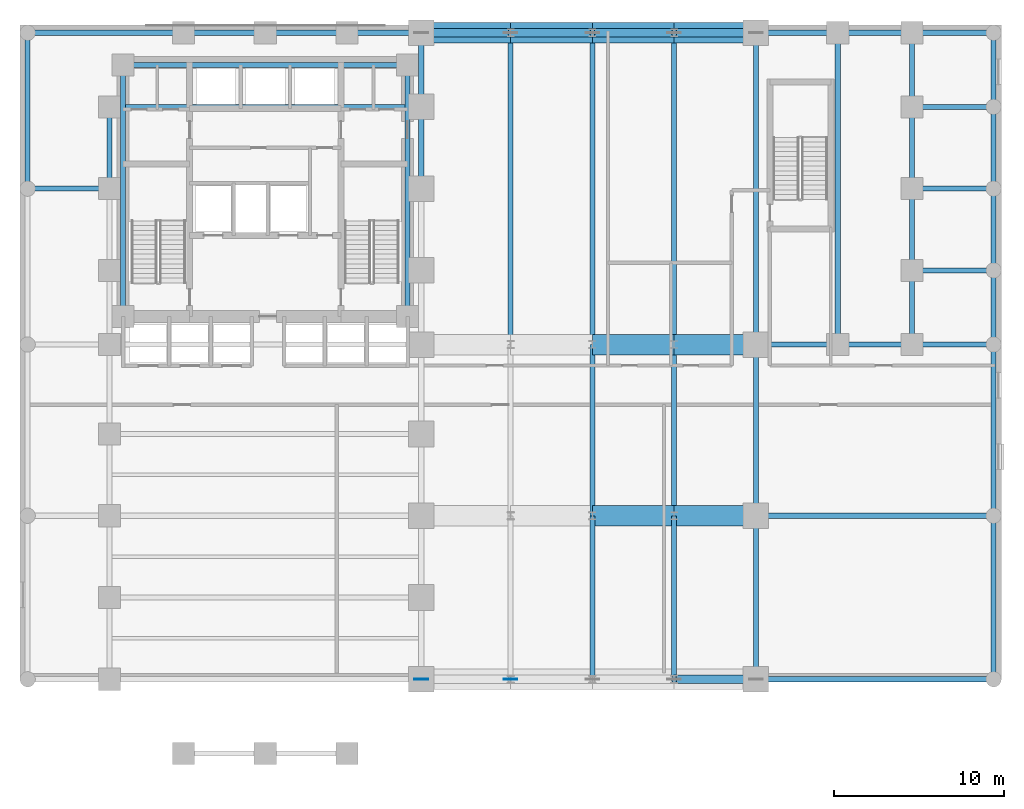
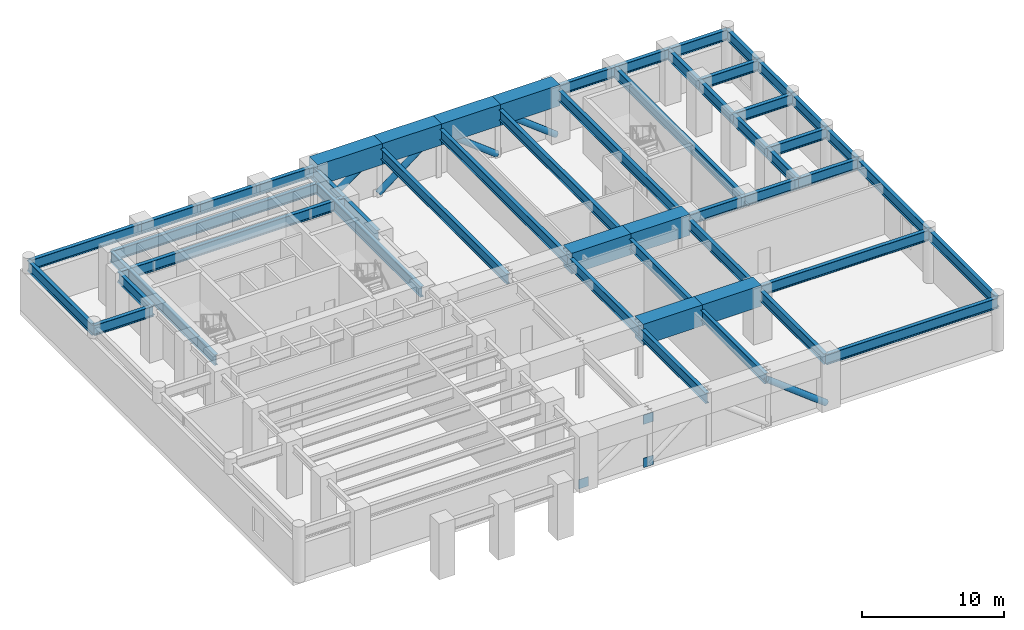
# One storey, part 2 of 8: 53 beams, 5 members, 3 plates.
"""IFC4 building model written with IfcOpenShell, lengths in metres."""

from ifc_helpers import new_model, si_unit, direction, frame, origin, origin_2d, place, context, subcontext, project, spatial, rectangle, hollow_circle, i_section, extrude, material, layer, layer_set, material_profile, profile_set, type_object, element, save


model = new_model("IFC4")

# Units and contexts
model_context = context("Model", 3, precision=1e-05, world=origin(), true_north=direction((0.0, 1.0)))
body_context = subcontext(model_context, "Body", "Model", "MODEL_VIEW")
ifc_project = project(units=[si_unit("LENGTHUNIT", "METRE"), si_unit("AREAUNIT", "SQUARE_METRE"), si_unit("VOLUMEUNIT", "CUBIC_METRE"), si_unit("PLANEANGLEUNIT", "RADIAN"), si_unit("MASSUNIT", "GRAM", prefix="KILO")], contexts=[model_context])

# Site, building, storey
site_placement = place(None, origin())
site = spatial("IfcSite", under=ifc_project, at=site_placement, CompositionType="ELEMENT")
building_placement = place(site_placement, origin())
building = spatial("IfcBuilding", under=site, at=building_placement, Name="Orvandelia Arch Residences", CompositionType="ELEMENT")
storey_placement = place(building_placement, frame((0.0, 0.0, 14.800048828125)))
storey = spatial("IfcBuildingStorey", under=building, at=storey_placement, Name="L03", CompositionType="ELEMENT", Elevation=14.800048828125)

# Beams
ifc_material_1 = material(Name="Structural Steel HSA650 (650 MPa)", Category="steel")
ifc_material_profile_1 = material_profile(ifc_material_1, i_section(OverallWidth=0.300048828125, OverallDepth=0.89990234375, WebThickness=0.01611328125, FlangeThickness=0.028076171875, FilletRadius=0.028076171875, at=origin_2d()), Name="Structural Steel HSA650 (650 MPa)", Category="steel")
ifc_profile_set_1 = profile_set([ifc_material_profile_1], Name="Structural Steel HSA650 (650 MPa)")
beam_type_1 = type_object("IfcBeamType", Name="BM-GRD-H900", PredefinedType="BEAM", material=ifc_profile_set_1)
beam_1_placement = place(storey_placement, frame((0.449951171875, 38.39990234375, 3.949951171875), z_axis=(0.0, 1.0, 0.0), x_axis=(-1.0, 0.0, 0.0)))
element("IfcBeam", 1, at=beam_1_placement, inside=storey, type_object=beam_type_1, Name="Structural Frame Beam L03-NS-004", PredefinedType="BEAM", context=body_context, shape_type="SweptSolid", body=[
    extrude(i_section(OverallWidth=0.300048828125, OverallDepth=0.89990234375, WebThickness=0.01611328125, FlangeThickness=0.028076171875, FilletRadius=0.028076171875, at=origin_2d()), origin(), (0.0, 0.0, 1.0), 9.150146484375),
])
beam_2_placement = place(storey_placement, frame((5.25, 38.39990234375, 3.949951171875), z_axis=(0.0, 1.0, 0.0), x_axis=(-1.0, 0.0, 0.0)))
element("IfcBeam", 2, at=beam_2_placement, inside=storey, type_object=beam_type_1, Name="Structural Frame Beam L03-NS-011", PredefinedType="BEAM", context=body_context, shape_type="SweptSolid", body=[
    extrude(i_section(OverallWidth=0.300048828125, OverallDepth=0.89990234375, WebThickness=0.01611328125, FlangeThickness=0.028076171875, FilletRadius=0.028076171875, at=origin_2d()), origin(), (0.0, 0.0, 1.0), 4.800048828125),
])
for number, where, z_axis, x_axis, name in (
    (3, (6.050048828125, 30.89990234375, 3.949951171875), (0.0, 1.0, 0.0), (-1.0, 0.0, 0.0), "Structural Frame Beam L03-NS-012"),
    (4, (22.75, 30.89990234375, 3.949951171875), (0.0, 1.0, 0.0), (-1.0, 0.0, 0.0), "Structural Frame Beam L03-NS-013"),
):
    element("IfcBeam", number, at=place(storey_placement, frame(where, z_axis=z_axis, x_axis=x_axis)), inside=storey, type_object=beam_type_1, Name=name, PredefinedType="BEAM", context=body_context, shape_type="SweptSolid", body=[
        extrude(i_section(OverallWidth=0.300048828125, OverallDepth=0.89990234375, WebThickness=0.01611328125, FlangeThickness=0.028076171875, FilletRadius=0.028076171875, at=origin_2d()), origin(), (0.0, 0.0, 1.0), 14.75),
    ])
beam_3_placement = place(storey_placement, frame((23.550048828125, 38.39990234375, 3.949951171875), z_axis=(0.0, 1.0, 0.0), x_axis=(-1.0, 0.0, 0.0)))
element("IfcBeam", 5, at=beam_3_placement, inside=storey, type_object=beam_type_1, Name="Structural Frame Beam L03-NS-020", PredefinedType="BEAM", context=body_context, shape_type="SweptSolid", body=[
    extrude(i_section(OverallWidth=0.300048828125, OverallDepth=0.89990234375, WebThickness=0.01611328125, FlangeThickness=0.028076171875, FilletRadius=0.028076171875, at=origin_2d()), origin(), (0.0, 0.0, 1.0), 4.800048828125),
])
beam_4_placement = place(storey_placement, frame((23.550048828125, 43.199951171875, 3.949951171875), z_axis=(0.0, 1.0, 0.0), x_axis=(-1.0, 0.0, 0.0)))
element("IfcBeam", 6, at=beam_4_placement, inside=storey, type_object=beam_type_1, Name="Structural Frame Beam L03-NS-021", PredefinedType="BEAM", context=body_context, shape_type="SweptSolid", body=[
    extrude(i_section(OverallWidth=0.300048828125, OverallDepth=0.89990234375, WebThickness=0.01611328125, FlangeThickness=0.028076171875, FilletRadius=0.028076171875, at=origin_2d()), origin(), (0.0, 0.0, 1.0), 4.35009765625),
])
beam_5_placement = place(storey_placement, frame((28.800048828125, 29.25, 3.949951171875), z_axis=(0.0, 1.0, 0.0), x_axis=(-1.0, 0.0, 0.0)))
element("IfcBeam", 7, at=beam_5_placement, inside=storey, type_object=beam_type_1, Name="Structural Frame Beam L03-NS-024", PredefinedType="BEAM", context=body_context, shape_type="SweptSolid", body=[
    extrude(i_section(OverallWidth=0.300048828125, OverallDepth=0.89990234375, WebThickness=0.01611328125, FlangeThickness=0.028076171875, FilletRadius=0.028076171875, at=origin_2d()), origin(), (0.0, 0.0, 1.0), 18.300048828125),
])
beam_6_placement = place(storey_placement, frame((33.60009765625, 9.60009765625, 3.949951171875), z_axis=(0.0, 1.0, 0.0), x_axis=(-1.0, 0.0, 0.0)))
element("IfcBeam", 8, at=beam_6_placement, inside=storey, type_object=beam_type_1, Name="Structural Frame Beam L03-NS-025", PredefinedType="BEAM", context=body_context, shape_type="SweptSolid", body=[
    extrude(i_section(OverallWidth=0.300048828125, OverallDepth=0.89990234375, WebThickness=0.01611328125, FlangeThickness=0.028076171875, FilletRadius=0.028076171875, at=origin_2d()), origin(), (0.0, 0.0, 1.0), 9.599853515625),
])
beam_7_placement = place(storey_placement, frame((33.60009765625, 19.199951171875, 3.949951171875), z_axis=(0.0, 1.0, 0.0), x_axis=(-1.0, 0.0, 0.0)))
element("IfcBeam", 9, at=beam_7_placement, inside=storey, type_object=beam_type_1, Name="Structural Frame Beam L03-NS-026", PredefinedType="BEAM", context=body_context, shape_type="SweptSolid", body=[
    extrude(i_section(OverallWidth=0.300048828125, OverallDepth=0.89990234375, WebThickness=0.01611328125, FlangeThickness=0.028076171875, FilletRadius=0.028076171875, at=origin_2d()), origin(), (0.0, 0.0, 1.0), 10.050048828125),
])
beam_8_placement = place(storey_placement, frame((33.60009765625, 29.25, 3.949951171875), z_axis=(0.0, 1.0, 0.0), x_axis=(-1.0, 0.0, 0.0)))
element("IfcBeam", 10, at=beam_8_placement, inside=storey, type_object=beam_type_1, Name="Structural Frame Beam L03-NS-027", PredefinedType="BEAM", context=body_context, shape_type="SweptSolid", body=[
    extrude(i_section(OverallWidth=0.300048828125, OverallDepth=0.89990234375, WebThickness=0.01611328125, FlangeThickness=0.028076171875, FilletRadius=0.028076171875, at=origin_2d()), origin(), (0.0, 0.0, 1.0), 18.300048828125),
])
beam_9_placement = place(storey_placement, frame((38.39990234375, 9.60009765625, 3.949951171875), z_axis=(0.0, 1.0, 0.0), x_axis=(-1.0, 0.0, 0.0)))
element("IfcBeam", 11, at=beam_9_placement, inside=storey, type_object=beam_type_1, Name="Structural Frame Beam L03-NS-028", PredefinedType="BEAM", context=body_context, shape_type="SweptSolid", body=[
    extrude(i_section(OverallWidth=0.300048828125, OverallDepth=0.89990234375, WebThickness=0.01611328125, FlangeThickness=0.028076171875, FilletRadius=0.028076171875, at=origin_2d()), origin(), (0.0, 0.0, 1.0), 9.599853515625),
])
beam_10_placement = place(storey_placement, frame((38.39990234375, 19.199951171875, 3.949951171875), z_axis=(0.0, 1.0, 0.0), x_axis=(-1.0, 0.0, 0.0)))
element("IfcBeam", 12, at=beam_10_placement, inside=storey, type_object=beam_type_1, Name="Structural Frame Beam L03-NS-029", PredefinedType="BEAM", context=body_context, shape_type="SweptSolid", body=[
    extrude(i_section(OverallWidth=0.300048828125, OverallDepth=0.89990234375, WebThickness=0.01611328125, FlangeThickness=0.028076171875, FilletRadius=0.028076171875, at=origin_2d()), origin(), (0.0, 0.0, 1.0), 10.050048828125),
])
beam_11_placement = place(storey_placement, frame((38.39990234375, 29.25, 3.949951171875), z_axis=(0.0, 1.0, 0.0), x_axis=(-1.0, 0.0, 0.0)))
element("IfcBeam", 13, at=beam_11_placement, inside=storey, type_object=beam_type_1, Name="Structural Frame Beam L03-NS-030", PredefinedType="BEAM", context=body_context, shape_type="SweptSolid", body=[
    extrude(i_section(OverallWidth=0.300048828125, OverallDepth=0.89990234375, WebThickness=0.01611328125, FlangeThickness=0.028076171875, FilletRadius=0.028076171875, at=origin_2d()), origin(), (0.0, 0.0, 1.0), 18.300048828125),
])
beam_12_placement = place(storey_placement, frame((43.199951171875, 9.60009765625, 3.949951171875), z_axis=(0.0, 1.0, 0.0), x_axis=(-1.0, 0.0, 0.0)))
element("IfcBeam", 14, at=beam_12_placement, inside=storey, type_object=beam_type_1, Name="Structural Frame Beam L03-NS-031", PredefinedType="BEAM", context=body_context, shape_type="SweptSolid", body=[
    extrude(i_section(OverallWidth=0.300048828125, OverallDepth=0.89990234375, WebThickness=0.01611328125, FlangeThickness=0.028076171875, FilletRadius=0.028076171875, at=origin_2d()), origin(), (0.0, 0.0, 1.0), 9.599853515625),
])
beam_13_placement = place(storey_placement, frame((43.199951171875, 19.199951171875, 3.949951171875), z_axis=(0.0, 1.0, 0.0), x_axis=(-1.0, 0.0, 0.0)))
element("IfcBeam", 15, at=beam_13_placement, inside=storey, type_object=beam_type_1, Name="Structural Frame Beam L03-NS-032", PredefinedType="BEAM", context=body_context, shape_type="SweptSolid", body=[
    extrude(i_section(OverallWidth=0.300048828125, OverallDepth=0.89990234375, WebThickness=0.01611328125, FlangeThickness=0.028076171875, FilletRadius=0.028076171875, at=origin_2d()), origin(), (0.0, 0.0, 1.0), 10.050048828125),
])
for number, where, z_axis, x_axis, name in (
    (16, (43.199951171875, 29.25, 3.949951171875), (0.0, 1.0, 0.0), (-1.0, 0.0, 0.0), "Structural Frame Beam L03-NS-033"),
    (17, (48.0, 29.25, 3.949951171875), (0.0, 1.0, 0.0), (-1.0, 0.0, 0.0), "Structural Frame Beam L03-NS-034"),
):
    element("IfcBeam", number, at=place(storey_placement, frame(where, z_axis=z_axis, x_axis=x_axis)), inside=storey, type_object=beam_type_1, Name=name, PredefinedType="BEAM", context=body_context, shape_type="SweptSolid", body=[
        extrude(i_section(OverallWidth=0.300048828125, OverallDepth=0.89990234375, WebThickness=0.01611328125, FlangeThickness=0.028076171875, FilletRadius=0.028076171875, at=origin_2d()), origin(), (0.0, 0.0, 1.0), 18.300048828125),
    ])
beam_14_placement = place(storey_placement, frame((52.35009765625, 29.25, 3.949951171875), z_axis=(0.0, 1.0, 0.0), x_axis=(-1.0, 0.0, 0.0)))
element("IfcBeam", 18, at=beam_14_placement, inside=storey, type_object=beam_type_1, Name="Structural Frame Beam L03-NS-035", PredefinedType="BEAM", context=body_context, shape_type="SweptSolid", body=[
    extrude(i_section(OverallWidth=0.300048828125, OverallDepth=0.89990234375, WebThickness=0.01611328125, FlangeThickness=0.028076171875, FilletRadius=0.028076171875, at=origin_2d()), origin(), (0.0, 0.0, 1.0), 4.35009765625),
])
beam_15_placement = place(storey_placement, frame((52.35009765625, 33.60009765625, 3.949951171875), z_axis=(0.0, 1.0, 0.0), x_axis=(-1.0, 0.0, 0.0)))
element("IfcBeam", 19, at=beam_15_placement, inside=storey, type_object=beam_type_1, Name="Structural Frame Beam L03-NS-036", PredefinedType="BEAM", context=body_context, shape_type="SweptSolid", body=[
    extrude(i_section(OverallWidth=0.300048828125, OverallDepth=0.89990234375, WebThickness=0.01611328125, FlangeThickness=0.028076171875, FilletRadius=0.028076171875, at=origin_2d()), origin(), (0.0, 0.0, 1.0), 4.7998046875),
])
beam_16_placement = place(storey_placement, frame((52.35009765625, 38.39990234375, 3.949951171875), z_axis=(0.0, 1.0, 0.0), x_axis=(-1.0, 0.0, 0.0)))
element("IfcBeam", 20, at=beam_16_placement, inside=storey, type_object=beam_type_1, Name="Structural Frame Beam L03-NS-037", PredefinedType="BEAM", context=body_context, shape_type="SweptSolid", body=[
    extrude(i_section(OverallWidth=0.300048828125, OverallDepth=0.89990234375, WebThickness=0.01611328125, FlangeThickness=0.028076171875, FilletRadius=0.028076171875, at=origin_2d()), origin(), (0.0, 0.0, 1.0), 4.800048828125),
])
beam_17_placement = place(storey_placement, frame((52.35009765625, 43.199951171875, 3.949951171875), z_axis=(0.0, 1.0, 0.0), x_axis=(-1.0, 0.0, 0.0)))
element("IfcBeam", 21, at=beam_17_placement, inside=storey, type_object=beam_type_1, Name="Structural Frame Beam L03-NS-038", PredefinedType="BEAM", context=body_context, shape_type="SweptSolid", body=[
    extrude(i_section(OverallWidth=0.300048828125, OverallDepth=0.89990234375, WebThickness=0.01611328125, FlangeThickness=0.028076171875, FilletRadius=0.028076171875, at=origin_2d()), origin(), (0.0, 0.0, 1.0), 4.35009765625),
])
beam_18_placement = place(storey_placement, frame((57.14990234375, 9.60009765625, 3.949951171875), z_axis=(0.0, 1.0, 0.0), x_axis=(-1.0, 0.0, 0.0)))
element("IfcBeam", 22, at=beam_18_placement, inside=storey, type_object=beam_type_1, Name="Structural Frame Beam L03-NS-039", PredefinedType="BEAM", context=body_context, shape_type="SweptSolid", body=[
    extrude(i_section(OverallWidth=0.300048828125, OverallDepth=0.89990234375, WebThickness=0.01611328125, FlangeThickness=0.028076171875, FilletRadius=0.028076171875, at=origin_2d()), origin(), (0.0, 0.0, 1.0), 9.599853515625),
])
beam_19_placement = place(storey_placement, frame((57.14990234375, 19.199951171875, 3.949951171875), z_axis=(0.0, 1.0, 0.0), x_axis=(-1.0, 0.0, 0.0)))
element("IfcBeam", 23, at=beam_19_placement, inside=storey, type_object=beam_type_1, Name="Structural Frame Beam L03-NS-040", PredefinedType="BEAM", context=body_context, shape_type="SweptSolid", body=[
    extrude(i_section(OverallWidth=0.300048828125, OverallDepth=0.89990234375, WebThickness=0.01611328125, FlangeThickness=0.028076171875, FilletRadius=0.028076171875, at=origin_2d()), origin(), (0.0, 0.0, 1.0), 10.050048828125),
])
beam_20_placement = place(storey_placement, frame((57.14990234375, 29.25, 3.949951171875), z_axis=(0.0, 1.0, 0.0), x_axis=(-1.0, 0.0, 0.0)))
element("IfcBeam", 24, at=beam_20_placement, inside=storey, type_object=beam_type_1, Name="Structural Frame Beam L03-NS-041", PredefinedType="BEAM", context=body_context, shape_type="SweptSolid", body=[
    extrude(i_section(OverallWidth=0.300048828125, OverallDepth=0.89990234375, WebThickness=0.01611328125, FlangeThickness=0.028076171875, FilletRadius=0.028076171875, at=origin_2d()), origin(), (0.0, 0.0, 1.0), 4.35009765625),
])
beam_21_placement = place(storey_placement, frame((57.14990234375, 33.60009765625, 3.949951171875), z_axis=(0.0, 1.0, 0.0), x_axis=(-1.0, 0.0, 0.0)))
element("IfcBeam", 25, at=beam_21_placement, inside=storey, type_object=beam_type_1, Name="Structural Frame Beam L03-NS-042", PredefinedType="BEAM", context=body_context, shape_type="SweptSolid", body=[
    extrude(i_section(OverallWidth=0.300048828125, OverallDepth=0.89990234375, WebThickness=0.01611328125, FlangeThickness=0.028076171875, FilletRadius=0.028076171875, at=origin_2d()), origin(), (0.0, 0.0, 1.0), 4.7998046875),
])
beam_22_placement = place(storey_placement, frame((57.14990234375, 38.39990234375, 3.949951171875), z_axis=(0.0, 1.0, 0.0), x_axis=(-1.0, 0.0, 0.0)))
element("IfcBeam", 26, at=beam_22_placement, inside=storey, type_object=beam_type_1, Name="Structural Frame Beam L03-NS-043", PredefinedType="BEAM", context=body_context, shape_type="SweptSolid", body=[
    extrude(i_section(OverallWidth=0.300048828125, OverallDepth=0.89990234375, WebThickness=0.01611328125, FlangeThickness=0.028076171875, FilletRadius=0.028076171875, at=origin_2d()), origin(), (0.0, 0.0, 1.0), 4.800048828125),
])
beam_23_placement = place(storey_placement, frame((57.14990234375, 43.199951171875, 3.949951171875), z_axis=(0.0, 1.0, 0.0), x_axis=(-1.0, 0.0, 0.0)))
element("IfcBeam", 27, at=beam_23_placement, inside=storey, type_object=beam_type_1, Name="Structural Frame Beam L03-NS-044", PredefinedType="BEAM", context=body_context, shape_type="SweptSolid", body=[
    extrude(i_section(OverallWidth=0.300048828125, OverallDepth=0.89990234375, WebThickness=0.01611328125, FlangeThickness=0.028076171875, FilletRadius=0.028076171875, at=origin_2d()), origin(), (0.0, 0.0, 1.0), 4.35009765625),
])
for number, where, z_axis, x_axis, name in (
    (28, (43.199951171875, 9.60009765625, 3.949951171875), (1.0, 0.0, 0.0), (0.0, 1.0, 0.0), "Structural Frame Girder L03-EW-053"),
    (29, (43.199951171875, 19.199951171875, 3.949951171875), (1.0, 0.0, 0.0), (0.0, 1.0, 0.0), "Structural Frame Girder L03-EW-061"),
):
    element("IfcBeam", number, at=place(storey_placement, frame(where, z_axis=z_axis, x_axis=x_axis)), inside=storey, type_object=beam_type_1, Name=name, PredefinedType="BEAM", context=body_context, shape_type="SweptSolid", body=[
        extrude(i_section(OverallWidth=0.300048828125, OverallDepth=0.89990234375, WebThickness=0.01611328125, FlangeThickness=0.028076171875, FilletRadius=0.028076171875, at=origin_2d()), origin(), (0.0, 0.0, 1.0), 13.949951171875),
    ])
beam_24_placement = place(storey_placement, frame((43.199951171875, 29.25, 3.949951171875), z_axis=(1.0, 0.0, 0.0), x_axis=(0.0, 1.0, 0.0)))
element("IfcBeam", 30, at=beam_24_placement, inside=storey, type_object=beam_type_1, Name="Structural Frame Girder L03-EW-069", PredefinedType="BEAM", context=body_context, shape_type="SweptSolid", body=[
    extrude(i_section(OverallWidth=0.300048828125, OverallDepth=0.89990234375, WebThickness=0.01611328125, FlangeThickness=0.028076171875, FilletRadius=0.028076171875, at=origin_2d()), origin(), (0.0, 0.0, 1.0), 4.800048828125),
])
beam_25_placement = place(storey_placement, frame((48.0, 29.25, 3.949951171875), z_axis=(1.0, 0.0, 0.0), x_axis=(0.0, 1.0, 0.0)))
element("IfcBeam", 31, at=beam_25_placement, inside=storey, type_object=beam_type_1, Name="Structural Frame Girder L03-EW-070", PredefinedType="BEAM", context=body_context, shape_type="SweptSolid", body=[
    extrude(i_section(OverallWidth=0.300048828125, OverallDepth=0.89990234375, WebThickness=0.01611328125, FlangeThickness=0.028076171875, FilletRadius=0.028076171875, at=origin_2d()), origin(), (0.0, 0.0, 1.0), 4.35009765625),
])
for number, where, z_axis, x_axis, name in (
    (32, (52.35009765625, 29.25, 3.949951171875), (1.0, 0.0, 0.0), (0.0, 1.0, 0.0), "Structural Frame Girder L03-EW-071"),
    (33, (52.35009765625, 33.60009765625, 3.949951171875), (1.0, 0.0, 0.0), (0.0, 1.0, 0.0), "Structural Frame Girder L03-EW-074"),
):
    element("IfcBeam", number, at=place(storey_placement, frame(where, z_axis=z_axis, x_axis=x_axis)), inside=storey, type_object=beam_type_1, Name=name, PredefinedType="BEAM", context=body_context, shape_type="SweptSolid", body=[
        extrude(i_section(OverallWidth=0.300048828125, OverallDepth=0.89990234375, WebThickness=0.01611328125, FlangeThickness=0.028076171875, FilletRadius=0.028076171875, at=origin_2d()), origin(), (0.0, 0.0, 1.0), 4.7998046875),
    ])
beam_26_placement = place(storey_placement, frame((0.449951171875, 38.39990234375, 3.949951171875), z_axis=(1.0, 0.0, 0.0), x_axis=(0.0, 1.0, 0.0)))
element("IfcBeam", 34, at=beam_26_placement, inside=storey, type_object=beam_type_1, Name="Structural Frame Girder L03-EW-075", PredefinedType="BEAM", context=body_context, shape_type="SweptSolid", body=[
    extrude(i_section(OverallWidth=0.300048828125, OverallDepth=0.89990234375, WebThickness=0.01611328125, FlangeThickness=0.028076171875, FilletRadius=0.028076171875, at=origin_2d()), origin(), (0.0, 0.0, 1.0), 4.800048828125),
])
beam_27_placement = place(storey_placement, frame((52.35009765625, 38.39990234375, 3.949951171875), z_axis=(1.0, 0.0, 0.0), x_axis=(0.0, 1.0, 0.0)))
element("IfcBeam", 35, at=beam_27_placement, inside=storey, type_object=beam_type_1, Name="Structural Frame Girder L03-EW-077", PredefinedType="BEAM", context=body_context, shape_type="SweptSolid", body=[
    extrude(i_section(OverallWidth=0.300048828125, OverallDepth=0.89990234375, WebThickness=0.01611328125, FlangeThickness=0.028076171875, FilletRadius=0.028076171875, at=origin_2d()), origin(), (0.0, 0.0, 1.0), 4.7998046875),
])
beam_28_placement = place(storey_placement, frame((5.25, 43.199951171875, 3.949951171875), z_axis=(1.0, 0.0, 0.0), x_axis=(0.0, 1.0, 0.0)))
element("IfcBeam", 36, at=beam_28_placement, inside=storey, type_object=beam_type_1, Name="Structural Frame Girder L03-EW-078", PredefinedType="BEAM", context=body_context, shape_type="SweptSolid", body=[
    extrude(i_section(OverallWidth=0.300048828125, OverallDepth=0.89990234375, WebThickness=0.01611328125, FlangeThickness=0.028076171875, FilletRadius=0.028076171875, at=origin_2d()), origin(), (0.0, 0.0, 1.0), 18.300048828125),
])
beam_29_placement = place(storey_placement, frame((52.35009765625, 43.199951171875, 3.949951171875), z_axis=(1.0, 0.0, 0.0), x_axis=(0.0, 1.0, 0.0)))
element("IfcBeam", 37, at=beam_29_placement, inside=storey, type_object=beam_type_1, Name="Structural Frame Girder L03-EW-079", PredefinedType="BEAM", context=body_context, shape_type="SweptSolid", body=[
    extrude(i_section(OverallWidth=0.300048828125, OverallDepth=0.89990234375, WebThickness=0.01611328125, FlangeThickness=0.028076171875, FilletRadius=0.028076171875, at=origin_2d()), origin(), (0.0, 0.0, 1.0), 4.7998046875),
])
beam_30_placement = place(storey_placement, frame((6.050048828125, 45.64990234375, 3.949951171875), z_axis=(1.0, 0.0, 0.0), x_axis=(0.0, 1.0, 0.0)))
element("IfcBeam", 38, at=beam_30_placement, inside=storey, type_object=beam_type_1, Name="Structural Frame Girder L03-EW-080", PredefinedType="BEAM", context=body_context, shape_type="SweptSolid", body=[
    extrude(i_section(OverallWidth=0.300048828125, OverallDepth=0.89990234375, WebThickness=0.01611328125, FlangeThickness=0.028076171875, FilletRadius=0.028076171875, at=origin_2d()), origin(), (0.0, 0.0, 1.0), 16.699951171875),
])
beam_31_placement = place(storey_placement, frame((0.449951171875, 47.550048828125, 3.949951171875), z_axis=(1.0, 0.0, 0.0), x_axis=(0.0, 1.0, 0.0)))
element("IfcBeam", 39, at=beam_31_placement, inside=storey, type_object=beam_type_1, Name="Structural Frame Girder L03-EW-081", PredefinedType="BEAM", context=body_context, shape_type="SweptSolid", body=[
    extrude(i_section(OverallWidth=0.300048828125, OverallDepth=0.89990234375, WebThickness=0.01611328125, FlangeThickness=0.028076171875, FilletRadius=0.028076171875, at=origin_2d()), origin(), (0.0, 0.0, 1.0), 9.150146484375),
])
beam_32_placement = place(storey_placement, frame((9.60009765625, 47.550048828125, 3.949951171875), z_axis=(1.0, 0.0, 0.0), x_axis=(0.0, 1.0, 0.0)))
element("IfcBeam", 40, at=beam_32_placement, inside=storey, type_object=beam_type_1, Name="Structural Frame Girder L03-EW-082", PredefinedType="BEAM", context=body_context, shape_type="SweptSolid", body=[
    extrude(i_section(OverallWidth=0.300048828125, OverallDepth=0.89990234375, WebThickness=0.01611328125, FlangeThickness=0.028076171875, FilletRadius=0.028076171875, at=origin_2d()), origin(), (0.0, 0.0, 1.0), 4.7998046875),
])
beam_33_placement = place(storey_placement, frame((14.39990234375, 47.550048828125, 3.949951171875), z_axis=(1.0, 0.0, 0.0), x_axis=(0.0, 1.0, 0.0)))
element("IfcBeam", 41, at=beam_33_placement, inside=storey, type_object=beam_type_1, Name="Structural Frame Girder L03-EW-083", PredefinedType="BEAM", context=body_context, shape_type="SweptSolid", body=[
    extrude(i_section(OverallWidth=0.300048828125, OverallDepth=0.89990234375, WebThickness=0.01611328125, FlangeThickness=0.028076171875, FilletRadius=0.028076171875, at=origin_2d()), origin(), (0.0, 0.0, 1.0), 4.800048828125),
])
beam_34_placement = place(storey_placement, frame((19.199951171875, 47.550048828125, 3.949951171875), z_axis=(1.0, 0.0, 0.0), x_axis=(0.0, 1.0, 0.0)))
element("IfcBeam", 42, at=beam_34_placement, inside=storey, type_object=beam_type_1, Name="Structural Frame Girder L03-EW-084", PredefinedType="BEAM", context=body_context, shape_type="SweptSolid", body=[
    extrude(i_section(OverallWidth=0.300048828125, OverallDepth=0.89990234375, WebThickness=0.01611328125, FlangeThickness=0.028076171875, FilletRadius=0.028076171875, at=origin_2d()), origin(), (0.0, 0.0, 1.0), 4.35009765625),
])
beam_35_placement = place(storey_placement, frame((43.199951171875, 47.550048828125, 3.949951171875), z_axis=(1.0, 0.0, 0.0), x_axis=(0.0, 1.0, 0.0)))
element("IfcBeam", 43, at=beam_35_placement, inside=storey, type_object=beam_type_1, Name="Structural Frame Girder L03-EW-089", PredefinedType="BEAM", context=body_context, shape_type="SweptSolid", body=[
    extrude(i_section(OverallWidth=0.300048828125, OverallDepth=0.89990234375, WebThickness=0.01611328125, FlangeThickness=0.028076171875, FilletRadius=0.028076171875, at=origin_2d()), origin(), (0.0, 0.0, 1.0), 4.800048828125),
])
beam_36_placement = place(storey_placement, frame((48.0, 47.550048828125, 3.949951171875), z_axis=(1.0, 0.0, 0.0), x_axis=(0.0, 1.0, 0.0)))
element("IfcBeam", 44, at=beam_36_placement, inside=storey, type_object=beam_type_1, Name="Structural Frame Girder L03-EW-090", PredefinedType="BEAM", context=body_context, shape_type="SweptSolid", body=[
    extrude(i_section(OverallWidth=0.300048828125, OverallDepth=0.89990234375, WebThickness=0.01611328125, FlangeThickness=0.028076171875, FilletRadius=0.028076171875, at=origin_2d()), origin(), (0.0, 0.0, 1.0), 4.35009765625),
])
beam_37_placement = place(storey_placement, frame((52.35009765625, 47.550048828125, 3.949951171875), z_axis=(1.0, 0.0, 0.0), x_axis=(0.0, 1.0, 0.0)))
element("IfcBeam", 45, at=beam_37_placement, inside=storey, type_object=beam_type_1, Name="Structural Frame Girder L03-EW-091", PredefinedType="BEAM", context=body_context, shape_type="SweptSolid", body=[
    extrude(i_section(OverallWidth=0.300048828125, OverallDepth=0.89990234375, WebThickness=0.01611328125, FlangeThickness=0.028076171875, FilletRadius=0.028076171875, at=origin_2d()), origin(), (0.0, 0.0, 1.0), 4.7998046875),
])

# Members
ifc_material_profile_2 = material_profile(ifc_material_1, hollow_circle(Radius=0.25390625, WallThickness=0.02197265625, at=origin_2d()), Name="Structural Steel HSA650 (650 MPa)", Category="steel")
ifc_profile_set_2 = profile_set([ifc_material_profile_2], Name="Structural Steel HSA650 (650 MPa)")
member_type = type_object("IfcMemberType", Name="MBR-ARCH-DIAG", PredefinedType="BRACE", material=ifc_profile_set_2)
member_1_placement = place(storey_placement, frame((43.199951171875, 9.60009765625, 0.199951171875), z_axis=(-0.79201709571, 0.0, 0.610498910812), x_axis=(0.0, -1.0, 0.0)))
element("IfcMember", 46, at=member_1_placement, inside=storey, type_object=member_type, Name="Arch Transfer Truss Diagonal ARD1", PredefinedType="BRACE", context=body_context, shape_type="SweptSolid", body=[
    extrude(hollow_circle(Radius=0.25390625, WallThickness=0.02197265625, at=origin_2d()), origin(), (0.0, 0.0, 1.0), 6.060546875),
])
member_2_placement = place(storey_placement, frame((23.550048828125, 47.550048828125, 0.199951171875), z_axis=(0.817402701849, 0.0, 0.576066682781), x_axis=(0.0, 1.0, 0.0)))
element("IfcMember", 47, at=member_2_placement, inside=storey, type_object=member_type, Name="Arch Transfer Truss Diagonal ARD1", PredefinedType="BRACE", context=body_context, shape_type="SweptSolid", body=[
    extrude(hollow_circle(Radius=0.25390625, WallThickness=0.02197265625, at=origin_2d()), origin(), (0.0, 0.0, 1.0), 6.4228515625),
])
member_3_placement = place(storey_placement, frame((28.800048828125, 47.550048828125, 0.199951171875), z_axis=(0.79201709571, 0.0, 0.610498910812), x_axis=(0.0, 1.0, 0.0)))
element("IfcMember", 48, at=member_3_placement, inside=storey, type_object=member_type, Name="Arch Transfer Truss Diagonal ARD1", PredefinedType="BRACE", context=body_context, shape_type="SweptSolid", body=[
    extrude(hollow_circle(Radius=0.25390625, WallThickness=0.02197265625, at=origin_2d()), origin(), (0.0, 0.0, 1.0), 6.060546875),
])
member_4_placement = place(storey_placement, frame((38.39990234375, 47.550048828125, 0.199951171875), z_axis=(-0.792002080911, 0.0, 0.610518389431), x_axis=(0.0, -1.0, 0.0)))
element("IfcMember", 49, at=member_4_placement, inside=storey, type_object=member_type, Name="Arch Transfer Truss Diagonal ARD1", PredefinedType="BRACE", context=body_context, shape_type="SweptSolid", body=[
    extrude(hollow_circle(Radius=0.25390625, WallThickness=0.02197265625, at=origin_2d()), origin(), (0.0, 0.0, 1.0), 6.060302734375),
])
member_5_placement = place(storey_placement, frame((43.199951171875, 47.550048828125, 0.199951171875), z_axis=(-0.79201709571, 0.0, 0.610498910812), x_axis=(0.0, -1.0, 0.0)))
element("IfcMember", 50, at=member_5_placement, inside=storey, type_object=member_type, Name="Arch Transfer Truss Diagonal ARD1", PredefinedType="BRACE", context=body_context, shape_type="SweptSolid", body=[
    extrude(hollow_circle(Radius=0.25390625, WallThickness=0.02197265625, at=origin_2d()), origin(), (0.0, 0.0, 1.0), 6.060546875),
])

# Beams
ifc_material_2 = material(Name="Concrete C80/95", Category="concrete")
ifc_material_profile_3 = material_profile(ifc_material_2, rectangle(XDim=1.199951171875, YDim=1.800048828125, at=origin_2d()), Name="Concrete C80/95", Category="concrete")
ifc_profile_set_3 = profile_set([ifc_material_profile_3], Name="Concrete C80/95")
beam_type_2 = type_object("IfcBeamType", Name="TG-ARCH-1200x1800", PredefinedType="USERDEFINED", material=ifc_profile_set_3)
beam_38_placement = place(storey_placement, frame((33.60009765625, 19.199951171875, 3.89990234375), z_axis=(1.0, 0.0, 0.0), x_axis=(0.0, 1.0, 0.0)))
element("IfcBeam", 51, at=beam_38_placement, inside=storey, type_object=beam_type_2, Name="Arch Coupled Transfer Girder L03", ObjectType="TRANSFER GIRDER", PredefinedType="USERDEFINED", context=body_context, shape_type="SweptSolid", body=[
    extrude(rectangle(XDim=1.199951171875, YDim=1.800048828125, at=origin_2d()), origin(), (0.0, 0.0, 1.0), 4.7998046875),
])
beam_39_placement = place(storey_placement, frame((38.39990234375, 19.199951171875, 3.89990234375), z_axis=(1.0, 0.0, 0.0), x_axis=(0.0, 1.0, 0.0)))
element("IfcBeam", 52, at=beam_39_placement, inside=storey, type_object=beam_type_2, Name="Arch Coupled Transfer Girder L03", ObjectType="TRANSFER GIRDER", PredefinedType="USERDEFINED", context=body_context, shape_type="SweptSolid", body=[
    extrude(rectangle(XDim=1.199951171875, YDim=1.800048828125, at=origin_2d()), origin(), (0.0, 0.0, 1.0), 4.800048828125),
])
beam_40_placement = place(storey_placement, frame((33.60009765625, 29.25, 3.89990234375), z_axis=(1.0, 0.0, 0.0), x_axis=(0.0, 1.0, 0.0)))
element("IfcBeam", 53, at=beam_40_placement, inside=storey, type_object=beam_type_2, Name="Arch Coupled Transfer Girder L03", ObjectType="TRANSFER GIRDER", PredefinedType="USERDEFINED", context=body_context, shape_type="SweptSolid", body=[
    extrude(rectangle(XDim=1.199951171875, YDim=1.800048828125, at=origin_2d()), origin(), (0.0, 0.0, 1.0), 4.7998046875),
])
beam_41_placement = place(storey_placement, frame((38.39990234375, 29.25, 3.89990234375), z_axis=(1.0, 0.0, 0.0), x_axis=(0.0, 1.0, 0.0)))
element("IfcBeam", 54, at=beam_41_placement, inside=storey, type_object=beam_type_2, Name="Arch Coupled Transfer Girder L03", ObjectType="TRANSFER GIRDER", PredefinedType="USERDEFINED", context=body_context, shape_type="SweptSolid", body=[
    extrude(rectangle(XDim=1.199951171875, YDim=1.800048828125, at=origin_2d()), origin(), (0.0, 0.0, 1.0), 4.800048828125),
])
beam_42_placement = place(storey_placement, frame((23.550048828125, 47.550048828125, 3.89990234375), z_axis=(1.0, 0.0, 0.0), x_axis=(0.0, 1.0, 0.0)))
element("IfcBeam", 55, at=beam_42_placement, inside=storey, type_object=beam_type_2, Name="Arch Coupled Transfer Girder L03", ObjectType="TRANSFER GIRDER", PredefinedType="USERDEFINED", context=body_context, shape_type="SweptSolid", body=[
    extrude(rectangle(XDim=1.199951171875, YDim=1.800048828125, at=origin_2d()), origin(), (0.0, 0.0, 1.0), 5.25),
])
beam_43_placement = place(storey_placement, frame((28.800048828125, 47.550048828125, 3.89990234375), z_axis=(1.0, 0.0, 0.0), x_axis=(0.0, 1.0, 0.0)))
element("IfcBeam", 56, at=beam_43_placement, inside=storey, type_object=beam_type_2, Name="Arch Coupled Transfer Girder L03", ObjectType="TRANSFER GIRDER", PredefinedType="USERDEFINED", context=body_context, shape_type="SweptSolid", body=[
    extrude(rectangle(XDim=1.199951171875, YDim=1.800048828125, at=origin_2d()), origin(), (0.0, 0.0, 1.0), 4.800048828125),
])
beam_44_placement = place(storey_placement, frame((33.60009765625, 47.550048828125, 3.89990234375), z_axis=(1.0, 0.0, 0.0), x_axis=(0.0, 1.0, 0.0)))
element("IfcBeam", 57, at=beam_44_placement, inside=storey, type_object=beam_type_2, Name="Arch Coupled Transfer Girder L03", ObjectType="TRANSFER GIRDER", PredefinedType="USERDEFINED", context=body_context, shape_type="SweptSolid", body=[
    extrude(rectangle(XDim=1.199951171875, YDim=1.800048828125, at=origin_2d()), origin(), (0.0, 0.0, 1.0), 4.7998046875),
])
beam_45_placement = place(storey_placement, frame((38.39990234375, 47.550048828125, 3.89990234375), z_axis=(1.0, 0.0, 0.0), x_axis=(0.0, 1.0, 0.0)))
element("IfcBeam", 58, at=beam_45_placement, inside=storey, type_object=beam_type_2, Name="Arch Coupled Transfer Girder L03", ObjectType="TRANSFER GIRDER", PredefinedType="USERDEFINED", context=body_context, shape_type="SweptSolid", body=[
    extrude(rectangle(XDim=1.199951171875, YDim=1.800048828125, at=origin_2d()), origin(), (0.0, 0.0, 1.0), 4.800048828125),
])

# Plates
ifc_layer = layer(ifc_material_1, 0.0400390625, Name="Structural Steel HSA650 (650 MPa)", Category="steel")
ifc_layer_set = layer_set([ifc_layer], Name="Structural Steel HSA650 (650 MPa)")
plate_type = type_object("IfcPlateType", Name="PLT-GUSSET-800", PredefinedType="USERDEFINED", material=ifc_layer_set)
for number, where, z_axis, x_axis, name in (
    (59, (23.550048828125, 9.60009765625, -0.2001953125), (0.0, 0.0, 1.0), (1.0, 0.0, 0.0), "Arch Transfer Truss Lower Gusset Plate GP1"),
    (60, (28.800048828125, 9.60009765625, 3.5), (0.0, 0.0, 1.0), (1.0, 0.0, 0.0), "Arch Transfer Truss Upper Gusset Plate GP1"),
    (61, (28.800048828125, 9.60009765625, -0.2001953125), (0.0, 0.0, 1.0), (1.0, 0.0, 0.0), "Arch Transfer Truss Lower Gusset Plate GP1"),
):
    element("IfcPlate", number, at=place(storey_placement, frame(where, z_axis=z_axis, x_axis=x_axis)), inside=storey, type_object=plate_type, Name=name, ObjectType="GUSSET_PLATE", PredefinedType="USERDEFINED", context=body_context, shape_type="SweptSolid", body=[
        extrude(rectangle(XDim=0.800048828125, YDim=0.0400390625, at=origin_2d()), origin(), (0.0, 0.0, 1.0), 0.800048828125),
    ])

save(model, "model.ifc")
